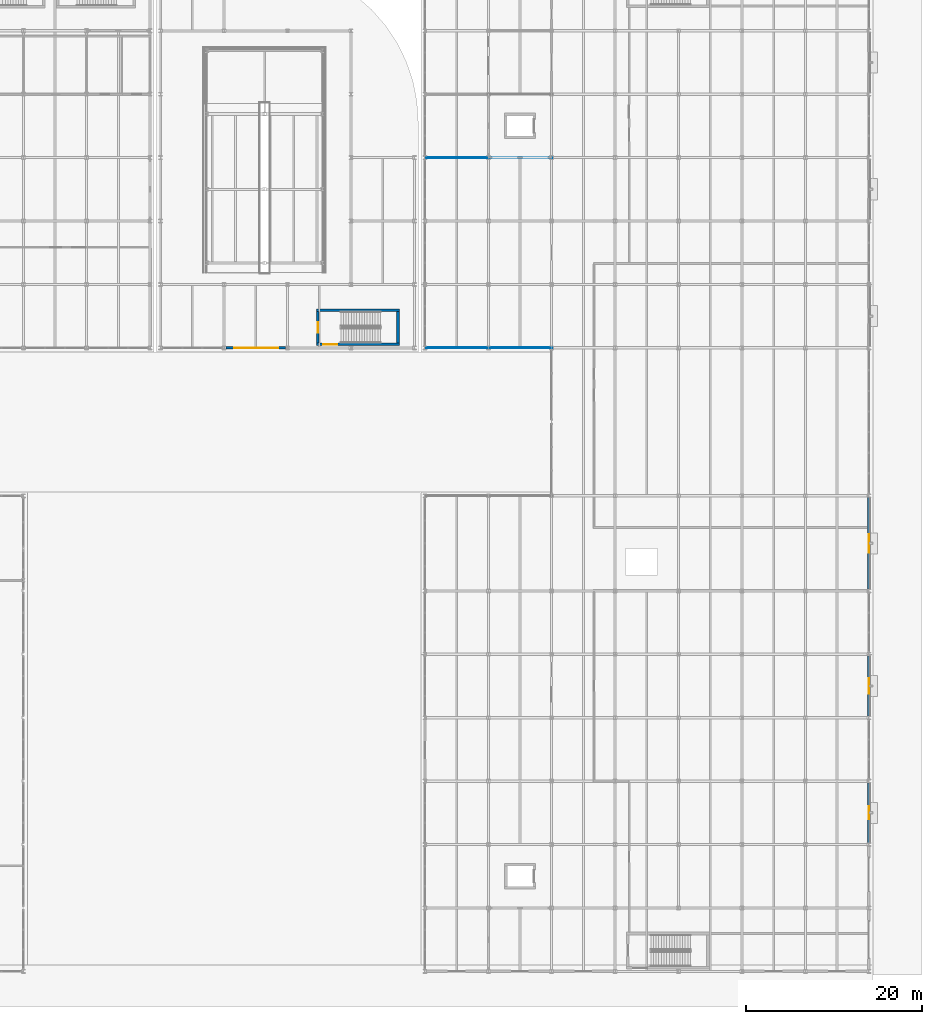
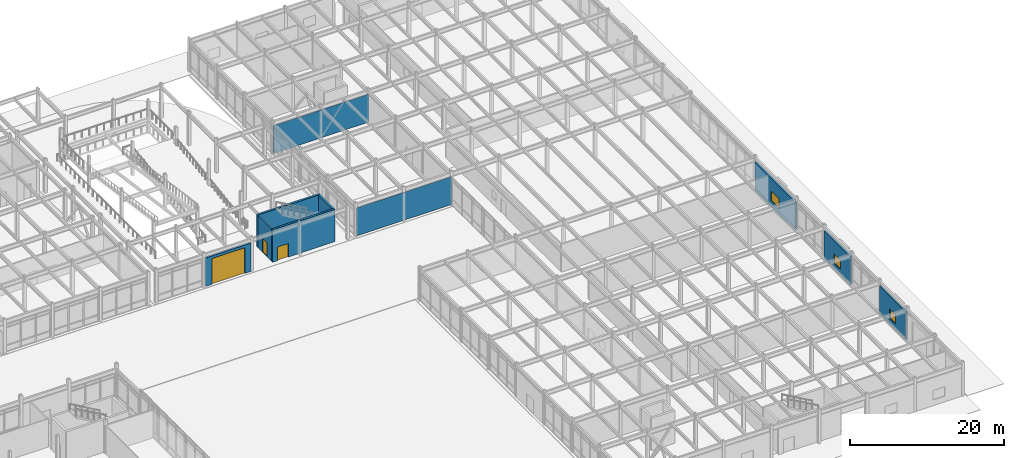
# One storey, part 77 of 104: 10 walls, 3 doors, 3 windows, 6 openings.
"""IFC4 building model written with IfcOpenShell, lengths in metres."""

from ifc_helpers import new_model, si_unit, direction, frame, frame_2d, origin, place, context, subcontext, project, spatial, rectangle, extrude, material, layer, layer_set, type_object, element, fill, save


model = new_model("IFC4")

# Units and contexts
model_context = context("Model", 3, precision=1e-05, world=origin(), true_north=direction((0.0, 1.0)))
body_context = subcontext(model_context, "Body", "Model", "MODEL_VIEW")
ifc_project = project(units=[si_unit("LENGTHUNIT", "METRE"), si_unit("AREAUNIT", "SQUARE_METRE"), si_unit("VOLUMEUNIT", "CUBIC_METRE"), si_unit("PLANEANGLEUNIT", "RADIAN"), si_unit("MASSUNIT", "GRAM", prefix="KILO")], contexts=[model_context])

# Site, building, storey
site_placement = place(None, origin())
site = spatial("IfcSite", under=ifc_project, at=site_placement, CompositionType="ELEMENT")
building_placement = place(site_placement, origin())
building = spatial("IfcBuilding", under=site, at=building_placement, Name="Vaelcorin Mobility Hub", CompositionType="ELEMENT")
storey_placement = place(building_placement, origin())
storey = spatial("IfcBuildingStorey", under=building, at=storey_placement, Name="L00", CompositionType="ELEMENT", Elevation=0.0)

# Wall, opening, door
ifc_material_1 = material(Name="Reinforced concrete f'c 45 MPa", Category="concrete")
ifc_layer_1 = layer(ifc_material_1, 0.300048828125)
ifc_layer_set_1 = layer_set([ifc_layer_1], Name="Reinforced concrete f'c 45 MPa")
wall_type_1 = type_object("IfcWallType", Name="WL-CORE-300", PredefinedType="SOLIDWALL", material=ifc_layer_set_1)
wall_1_placement = place(storey_placement, frame((150.699951171875, 77.199951171875, 0.0), z_axis=(0.0, 0.0, 1.0), x_axis=(-1.0, 0.0, 0.0)))
wall_1 = element("IfcWall", 1, at=wall_1_placement, inside=storey, type_object=wall_type_1, Name="ST2 Fire Core Wall L00 South", PredefinedType="SOLIDWALL", context=body_context, shape_type="SweptSolid", body=[
    extrude(rectangle(XDim=9.39990234375, YDim=0.300048828125, at=frame_2d((4.699951171875, 0.0))), origin(), (0.0, 0.0, 1.0), 5.14990234375),
])
opening_1_placement = place(wall_1_placement, frame((7.050048828125, 0.0, 0.0)))
opening_1 = element("IfcOpeningElement", 2, at=opening_1_placement, cuts=wall_1, Name="Opening SD03", PredefinedType="OPENING", context=body_context, shape_type="SweptSolid", body=[
    extrude(rectangle(XDim=1.60009765625, YDim=2.14990234375, at=frame_2d((0.800048828125, 1.074951171875))), frame((0.0, 0.159912109375, 0.0), z_axis=(0.0, -1.0, 0.0), x_axis=(1.0, 0.0, 0.0)), (0.0, 0.0, 1.0), 0.320068359375),
])
ifc_material_2 = material(Name="Hollow-metal insulated steel fire door", Category="steel")
door_type_1 = type_object("IfcDoorType", Name="DR-STAIR-EXIT", OperationType="NOTDEFINED", PredefinedType="DOOR", material=ifc_material_2)
door_1_placement = place(opening_1_placement, origin())
door_1 = element("IfcDoor", 3, at=door_1_placement, inside=storey, type_object=door_type_1, Name="ST2 Final Exit Discharge Door L00", OperationType="SINGLE_SWING_LEFT", OverallHeight=2.14990234375, OverallWidth=1.60009765625, PredefinedType="DOOR", context=body_context, shape_type="SweptSolid", body=[
    extrude(rectangle(XDim=1.60009765625, YDim=2.14990234375, at=frame_2d((0.800048828125, 1.074951171875))), frame((0.0, 0.02490234375, 0.0), z_axis=(0.0, -1.0, 0.0), x_axis=(1.0, 0.0, 0.0)), (0.0, 0.0, 1.0), 0.050048828125),
])
fill(opening_1, door_1)

# Wall
wall_2_placement = place(storey_placement, frame((141.300048828125, 81.06005859375, 0.0), z_axis=(0.0, 0.0, 1.0), x_axis=(1.0, 0.0, 0.0)))
element("IfcWall", 4, at=wall_2_placement, inside=storey, type_object=wall_type_1, Name="ST2 Fire Core Wall L00 North", PredefinedType="SOLIDWALL", context=body_context, shape_type="SweptSolid", body=[
    extrude(rectangle(XDim=9.39990234375, YDim=0.300048828125, at=frame_2d((4.699951171875, 0.0))), origin(), (0.0, 0.0, 1.0), 5.14990234375),
])

# Wall, opening, door
wall_3_placement = place(storey_placement, frame((141.449951171875, 77.35009765625, 0.0), z_axis=(0.0, 0.0, 1.0), x_axis=(0.0, 1.0, 0.0)))
wall_3 = element("IfcWall", 5, at=wall_3_placement, inside=storey, type_object=wall_type_1, Name="ST2 Fire Core Wall L00 West", PredefinedType="SOLIDWALL", context=body_context, shape_type="SweptSolid", body=[
    extrude(rectangle(XDim=3.559814453125, YDim=0.300048828125, at=frame_2d((1.77978515625, 0.0))), origin(), (0.0, 0.0, 1.0), 5.14990234375),
])
opening_2_placement = place(wall_3_placement, frame((1.179931640625, 0.0, 0.0)))
opening_2 = element("IfcOpeningElement", 6, at=opening_2_placement, cuts=wall_3, Name="Opening SD01", PredefinedType="OPENING", context=body_context, shape_type="SweptSolid", body=[
    extrude(rectangle(XDim=1.199951171875, YDim=2.199951171875, at=frame_2d((0.60009765625, 1.10009765625))), frame((0.0, 0.159912109375, 0.0), z_axis=(0.0, -1.0, 0.0), x_axis=(1.0, 0.0, 0.0)), (0.0, 0.0, 1.0), 0.320068359375),
])
door_type_2 = type_object("IfcDoorType", Name="DR-STAIR-90", OperationType="NOTDEFINED", PredefinedType="DOOR", material=ifc_material_2)
door_2_placement = place(opening_2_placement, origin())
door_2 = element("IfcDoor", 7, at=door_2_placement, inside=storey, type_object=door_type_2, Name="ST2 Protected Stair Door L00", OperationType="SINGLE_SWING_RIGHT", OverallHeight=2.199951171875, OverallWidth=1.199951171875, PredefinedType="DOOR", context=body_context, shape_type="SweptSolid", body=[
    extrude(rectangle(XDim=1.199951171875, YDim=2.199951171875, at=frame_2d((0.60009765625, 1.10009765625))), frame((0.0, 0.02490234375, 0.0), z_axis=(0.0, -1.0, 0.0), x_axis=(1.0, 0.0, 0.0)), (0.0, 0.0, 1.0), 0.050048828125),
])
fill(opening_2, door_2)

# Wall
wall_4_placement = place(storey_placement, frame((150.550048828125, 80.909912109375, 0.0), z_axis=(0.0, 0.0, 1.0), x_axis=(0.0, -1.0, 0.0)))
element("IfcWall", 8, at=wall_4_placement, inside=storey, type_object=wall_type_1, Name="ST2 Fire Core Wall L00 East", PredefinedType="SOLIDWALL", context=body_context, shape_type="SweptSolid", body=[
    extrude(rectangle(XDim=3.559814453125, YDim=0.300048828125, at=frame_2d((1.77978515625, 0.0))), origin(), (0.0, 0.0, 1.0), 5.14990234375),
])

# Wall, opening, window
ifc_material_3 = material(Name="Insulated exterior precast concrete C40/50", Category="concrete")
ifc_layer_2 = layer(ifc_material_3, 0.260009765625)
ifc_layer_set_2 = layer_set([ifc_layer_2], Name="Insulated exterior precast concrete C40/50")
wall_type_2 = type_object("IfcWallType", Name="WL-EXT-260", PredefinedType="STANDARD", material=ifc_layer_set_2)
wall_5_placement = place(storey_placement, frame((204.0, 27.407958984375, 0.0), z_axis=(0.0, 0.0, 1.0), x_axis=(0.0, -1.0, 0.0)))
wall_5 = element("IfcWall", 9, at=wall_5_placement, inside=storey, type_object=wall_type_2, Name="L00 Exterior Wall V5-EW-L00-E-03", PredefinedType="STANDARD", context=body_context, shape_type="SweptSolid", body=[
    extrude(rectangle(XDim=6.81591796875, YDim=0.260009765625, at=frame_2d((3.407958984375, 0.0))), origin(), (0.0, 0.0, 1.0), 4.44189453125),
])
opening_3_placement = place(wall_5_placement, frame((2.657958984375, 0.0, 0.89990234375)))
opening_3 = element("IfcOpeningElement", 10, at=opening_3_placement, cuts=wall_5, Name="Opening WN13", PredefinedType="OPENING", context=body_context, shape_type="SweptSolid", body=[
    extrude(rectangle(XDim=1.5, YDim=1.5, at=frame_2d((0.75, 0.75))), frame((0.0, 0.139892578125, 0.0), z_axis=(0.0, -1.0, 0.0), x_axis=(1.0, 0.0, 0.0)), (0.0, 0.0, 1.0), 0.280029296875),
])
ifc_material_4 = material(Name="Double-glazed low-E window unit", Category="glass")
window_type_1 = type_object("IfcWindowType", Name="WIN-1500X1500", PartitioningType="SINGLE_PANEL", PredefinedType="WINDOW", material=ifc_material_4)
window_1_placement = place(opening_3_placement, origin())
window_1 = element("IfcWindow", 11, at=window_1_placement, inside=storey, type_object=window_type_1, Name="L00 Window V5-EW-L00-E-03-WN", OverallHeight=1.5, OverallWidth=1.5, PartitioningType="SINGLE_PANEL", PredefinedType="WINDOW", context=body_context, shape_type="SweptSolid", body=[
    extrude(rectangle(XDim=1.5, YDim=1.5, at=frame_2d((0.75, 0.75))), frame((0.0, 0.030029296875, 0.0), z_axis=(0.0, -1.0, 0.0), x_axis=(1.0, 0.0, 0.0)), (0.0, 0.0, 1.0), 0.06005859375),
])
fill(opening_3, window_1)

wall_6_placement = place(storey_placement, frame((204.0, 41.80810546875, 0.0), z_axis=(0.0, 0.0, 1.0), x_axis=(0.0, -1.0, 0.0)))
wall_6 = element("IfcWall", 12, at=wall_6_placement, inside=storey, type_object=wall_type_2, Name="L00 Exterior Wall V5-EW-L00-E-05", PredefinedType="STANDARD", context=body_context, shape_type="SweptSolid", body=[
    extrude(rectangle(XDim=6.816162109375, YDim=0.260009765625, at=frame_2d((3.408203125, 0.0))), origin(), (0.0, 0.0, 1.0), 4.44189453125),
])
opening_4_placement = place(wall_6_placement, frame((2.508056640625, 0.0, 0.89990234375)))
opening_4 = element("IfcOpeningElement", 13, at=opening_4_placement, cuts=wall_6, Name="Opening WN12", PredefinedType="OPENING", context=body_context, shape_type="SweptSolid", body=[
    extrude(rectangle(XDim=1.800048828125, YDim=1.5, at=frame_2d((0.89990234375, 0.75))), frame((0.0, 0.139892578125, 0.0), z_axis=(0.0, -1.0, 0.0), x_axis=(1.0, 0.0, 0.0)), (0.0, 0.0, 1.0), 0.280029296875),
])
window_type_2 = type_object("IfcWindowType", Name="WIN-1800X1500", PartitioningType="SINGLE_PANEL", PredefinedType="WINDOW", material=ifc_material_4)
window_2_placement = place(opening_4_placement, origin())
window_2 = element("IfcWindow", 14, at=window_2_placement, inside=storey, type_object=window_type_2, Name="L00 Window V5-EW-L00-E-05-WN", OverallHeight=1.5, OverallWidth=1.800048828125, PartitioningType="SINGLE_PANEL", PredefinedType="WINDOW", context=body_context, shape_type="SweptSolid", body=[
    extrude(rectangle(XDim=1.800048828125, YDim=1.5, at=frame_2d((0.89990234375, 0.75))), frame((0.0, 0.030029296875, 0.0), z_axis=(0.0, -1.0, 0.0), x_axis=(1.0, 0.0, 0.0)), (0.0, 0.0, 1.0), 0.06005859375),
])
fill(opening_4, window_2)

wall_7_placement = place(storey_placement, frame((204.0, 59.80810546875, 0.0), z_axis=(0.0, 0.0, 1.0), x_axis=(0.0, -1.0, 0.0)))
wall_7 = element("IfcWall", 15, at=wall_7_placement, inside=storey, type_object=wall_type_2, Name="L00 Exterior Wall V5-EW-L00-E-07", PredefinedType="STANDARD", context=body_context, shape_type="SweptSolid", body=[
    extrude(rectangle(XDim=10.416015625, YDim=0.260009765625, at=frame_2d((5.2080078125, 0.0))), origin(), (0.0, 0.0, 1.0), 4.44189453125),
])
opening_5_placement = place(wall_7_placement, frame((4.157958984375, 0.0, 0.89990234375)))
opening_5 = element("IfcOpeningElement", 16, at=opening_5_placement, cuts=wall_7, Name="Opening WN19", PredefinedType="OPENING", context=body_context, shape_type="SweptSolid", body=[
    extrude(rectangle(XDim=2.10009765625, YDim=1.5, at=frame_2d((1.050048828125, 0.75))), frame((0.0, 0.139892578125, 0.0), z_axis=(0.0, -1.0, 0.0), x_axis=(1.0, 0.0, 0.0)), (0.0, 0.0, 1.0), 0.280029296875),
])
window_type_3 = type_object("IfcWindowType", Name="WIN-2100X1500", PartitioningType="SINGLE_PANEL", PredefinedType="WINDOW", material=ifc_material_4)
window_3_placement = place(opening_5_placement, origin())
window_3 = element("IfcWindow", 17, at=window_3_placement, inside=storey, type_object=window_type_3, Name="L00 Window V5-EW-L00-E-07-WN", OverallHeight=1.5, OverallWidth=2.10009765625, PartitioningType="SINGLE_PANEL", PredefinedType="WINDOW", context=body_context, shape_type="SweptSolid", body=[
    extrude(rectangle(XDim=2.10009765625, YDim=1.5, at=frame_2d((1.050048828125, 0.75))), frame((0.0, 0.030029296875, 0.0), z_axis=(0.0, -1.0, 0.0), x_axis=(1.0, 0.0, 0.0)), (0.0, 0.0, 1.0), 0.06005859375),
])
fill(opening_5, window_3)

# Wall, opening, door
ifc_layer_3 = layer(ifc_material_3, 0.300048828125)
ifc_layer_set_3 = layer_set([ifc_layer_3], Name="Insulated exterior precast concrete C40/50")
wall_type_3 = type_object("IfcWallType", Name="WL-EXT-300", PredefinedType="STANDARD", material=ifc_layer_set_3)
wall_8_placement = place(storey_placement, frame((137.794921875, 76.800048828125, 0.0), z_axis=(0.0, 0.0, 1.0), x_axis=(-1.0, 0.0, 0.0)))
wall_8 = element("IfcWall", 18, at=wall_8_placement, inside=storey, type_object=wall_type_3, Name="L00 Exterior Wall V2E-EW-PORTAL", PredefinedType="STANDARD", context=body_context, shape_type="SweptSolid", body=[
    extrude(rectangle(XDim=6.7900390625, YDim=0.300048828125, at=frame_2d((3.39501953125, 0.0))), origin(), (0.0, 0.0, 1.0), 4.52294921875),
])
opening_6_placement = place(wall_8_placement, frame((0.85498046875, 0.0, 0.0)))
opening_6 = element("IfcOpeningElement", 19, at=opening_6_placement, cuts=wall_8, Name="Opening VG2", PredefinedType="OPENING", context=body_context, shape_type="SweptSolid", body=[
    extrude(rectangle(XDim=5.0, YDim=4.10009765625, at=frame_2d((2.5, 2.050048828125))), frame((0.0, 0.159912109375, 0.0), z_axis=(0.0, -1.0, 0.0), x_axis=(1.0, 0.0, 0.0)), (0.0, 0.0, 1.0), 0.320068359375),
])
ifc_material_5 = material(Name="Anodised aluminium 6063-T6", Category="aluminium")
door_type_3 = type_object("IfcDoorType", Name="DR-GATE-VG2", OperationType="NOTDEFINED", PredefinedType="GATE", material=ifc_material_5)
door_3_placement = place(opening_6_placement, origin())
door_3 = element("IfcDoor", 20, at=door_3_placement, inside=storey, type_object=door_type_3, Name="L00 Exterior Door DR-GATE-VG2-L00", OperationType="ROLLINGUP", OverallHeight=4.10009765625, OverallWidth=5.0, PredefinedType="GATE", context=body_context, shape_type="SweptSolid", body=[
    extrude(rectangle(XDim=5.0, YDim=4.10009765625, at=frame_2d((2.5, 2.050048828125))), frame((0.0, 0.02490234375, 0.0), z_axis=(0.0, -1.0, 0.0), x_axis=(1.0, 0.0, 0.0)), (0.0, 0.0, 1.0), 0.050048828125),
])
fill(opening_6, door_3)

# Walls
ifc_material_6 = material(Name="Fire-rated acoustic steel-stud gypsum board", Category="steel")
ifc_layer_4 = layer(ifc_material_6, 0.10009765625)
ifc_layer_set_4 = layer_set([ifc_layer_4], Name="Fire-rated acoustic steel-stud gypsum board")
wall_type_4 = type_object("IfcWallType", Name="WL-PART-100", PredefinedType="PARTITIONING", material=ifc_layer_set_4)
wall_9_placement = place(storey_placement, frame((168.080078125, 76.800048828125, 0.0), z_axis=(0.0, 0.0, 1.0), x_axis=(-1.0, 0.0, 0.0)))
element("IfcWall", 21, at=wall_9_placement, inside=storey, type_object=wall_type_4, Name="Cyclist Changing and Shower Suite Partition South", PredefinedType="PARTITIONING", context=body_context, shape_type="SweptSolid", body=[
    extrude(rectangle(XDim=14.34814453125, YDim=0.10009765625, at=frame_2d((7.174072265625, 0.0))), origin(), (0.0, 0.0, 1.0), 4.43701171875),
])
ifc_layer_5 = layer(ifc_material_6, 0.10498046875)
ifc_layer_set_5 = layer_set([ifc_layer_5], Name="Fire-rated acoustic steel-stud gypsum board")
wall_type_5 = type_object("IfcWallType", Name="WL-PART-105", PredefinedType="PARTITIONING", material=ifc_layer_set_5)
wall_10_placement = place(storey_placement, frame((153.73193359375, 98.39990234375, 0.0), z_axis=(0.0, 0.0, 1.0), x_axis=(1.0, 0.0, 0.0)))
element("IfcWall", 22, at=wall_10_placement, inside=storey, type_object=wall_type_5, Name="Cyclist Changing and Shower Suite Partition North", PredefinedType="PARTITIONING", context=body_context, shape_type="SweptSolid", body=[
    extrude(rectangle(XDim=14.34814453125, YDim=0.10498046875, at=frame_2d((7.174072265625, 0.0))), origin(), (0.0, 0.0, 1.0), 4.43701171875),
])

save(model, "model.ifc")
